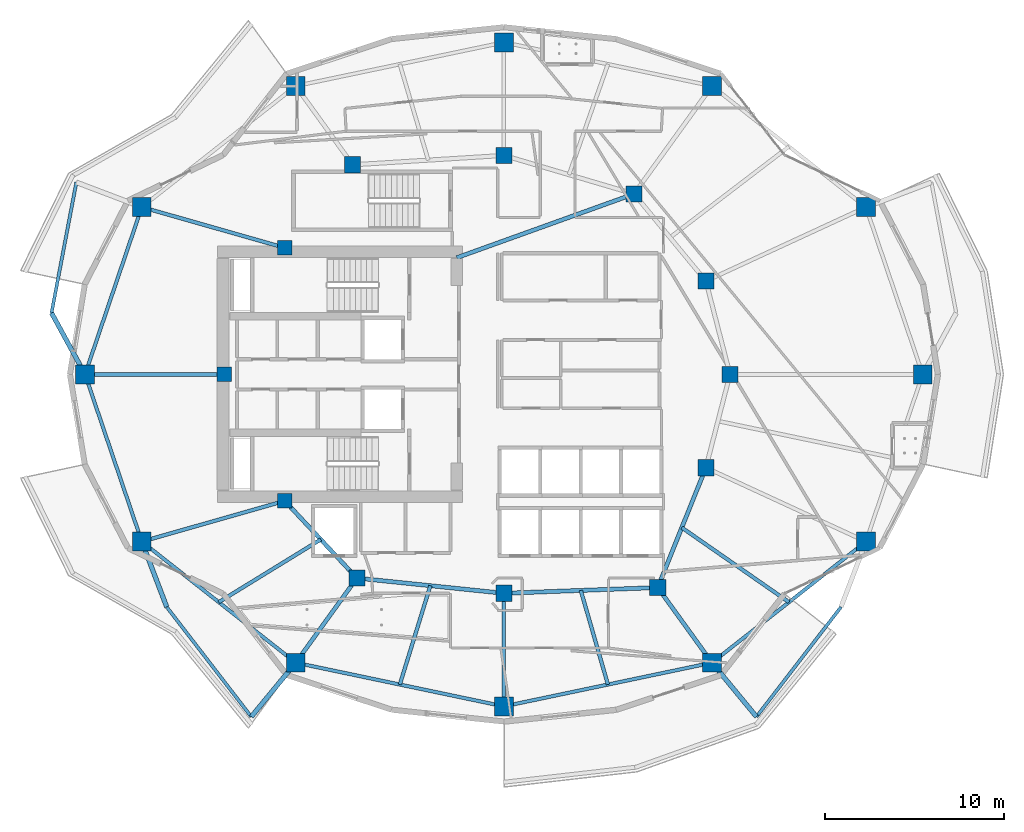
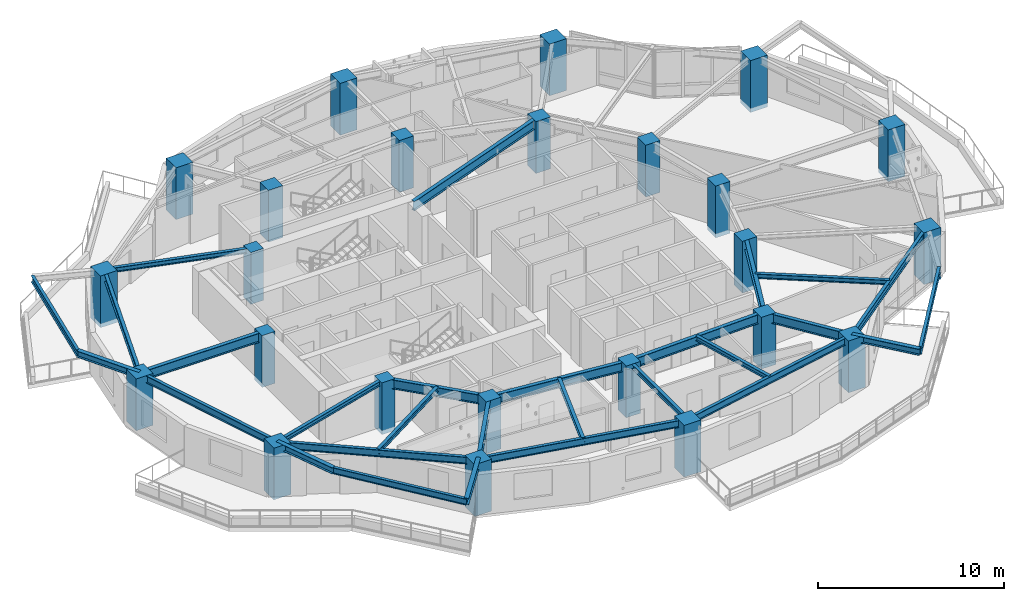
# One storey, part 1 of 18: 28 beams, 24 columns.
"""IFC4 building model written with IfcOpenShell, lengths in metres."""

from ifc_helpers import new_model, si_unit, direction, frame, origin, origin_2d, place, context, subcontext, project, spatial, rectangle, i_section, extrude, material, material_profile, profile_set, type_object, element, save


model = new_model("IFC4")

# Units and contexts
model_context = context("Model", 3, precision=1e-05, world=origin(), true_north=direction((0.0, 1.0)))
body_context = subcontext(model_context, "Body", "Model", "MODEL_VIEW")
ifc_project = project(units=[si_unit("LENGTHUNIT", "METRE"), si_unit("AREAUNIT", "SQUARE_METRE"), si_unit("VOLUMEUNIT", "CUBIC_METRE"), si_unit("PLANEANGLEUNIT", "RADIAN"), si_unit("MASSUNIT", "GRAM", prefix="KILO")], contexts=[model_context])

# Site, building, storey
site_placement = place(None, origin())
site = spatial("IfcSite", under=ifc_project, at=site_placement, CompositionType="ELEMENT")
building_placement = place(site_placement, origin())
building = spatial("IfcBuilding", under=site, at=building_placement, Name="Kolvaren Gate Tower and Convention Centre", CompositionType="ELEMENT")
storey_placement = place(building_placement, frame((0.0, 0.0, 135.89990234375)))
storey = spatial("IfcBuildingStorey", under=building, at=storey_placement, Name="L34", CompositionType="ELEMENT", Elevation=135.89990234375)

# Columns
ifc_material_1 = material(Name="Concrete C60/75", Category="concrete")
ifc_material_profile_1 = material_profile(ifc_material_1, rectangle(XDim=1.050048828125, YDim=1.050048828125, at=origin_2d()), Name="RC-COL-1050X1050")
ifc_profile_set_1 = profile_set([ifc_material_profile_1], Name="Concrete C60/75")
column_type_1 = type_object("IfcColumnType", Name="STR-COL-RC1050", PredefinedType="COLUMN", material=ifc_profile_set_1)
for number, where, z_axis, x_axis, name in (
    (1, (53.46240234375, 27.0, -0.27001953125), (0.0, 0.0, 1.0), (1.0, 0.0, 0.0), "Tower L34 Perimeter Supercolumn TP-01"),
    (2, (50.30029296875, 36.318603515625, -0.27001953125), (0.0, 0.0, 1.0), (1.0, 0.0, 0.0), "Tower L34 Perimeter Supercolumn TP-02"),
    (3, (41.721435546875, 43.068359375, -0.27001953125), (0.0, 0.0, 1.0), (1.0, 0.0, 0.0), "Tower L34 Perimeter Supercolumn TP-03"),
    (4, (30.125, 45.5, -0.27001953125), (0.0, 0.0, 1.0), (1.0, 0.0, 0.0), "Tower L34 Perimeter Supercolumn TP-04"),
    (5, (18.52880859375, 43.068359375, -0.27001953125), (0.0, 0.0, 1.0), (1.0, 0.0, 0.0), "Tower L34 Perimeter Supercolumn TP-05"),
    (6, (9.94970703125, 36.318603515625, -0.27001953125), (0.0, 0.0, 1.0), (1.0, 0.0, 0.0), "Tower L34 Perimeter Supercolumn TP-06"),
    (7, (6.78759765625, 27.0, -0.27001953125), (0.0, 0.0, 1.0), (1.0, 0.0, 0.0), "Tower L34 Perimeter Supercolumn TP-07"),
    (8, (9.94970703125, 17.681396484375, -0.27001953125), (0.0, 0.0, 1.0), (1.0, 0.0, 0.0), "Tower L34 Perimeter Supercolumn TP-08"),
    (9, (18.528564453125, 10.931640625, -0.27001953125), (0.0, 0.0, 1.0), (1.0, 0.0, 0.0), "Tower L34 Perimeter Supercolumn TP-09"),
    (10, (30.125, 8.5, -0.27001953125), (0.0, 0.0, 1.0), (1.0, 0.0, 0.0), "Tower L34 Perimeter Supercolumn TP-10"),
    (11, (41.721435546875, 10.931640625, -0.27001953125), (0.0, 0.0, 1.0), (1.0, 0.0, 0.0), "Tower L34 Perimeter Supercolumn TP-11"),
    (12, (50.30029296875, 17.681396484375, -0.27001953125), (0.0, 0.0, 1.0), (1.0, 0.0, 0.0), "Tower L34 Perimeter Supercolumn TP-12"),
):
    element("IfcColumn", number, at=place(storey_placement, frame(where, z_axis=z_axis, x_axis=x_axis)), inside=storey, type_object=column_type_1, Name=name, PredefinedType="COLUMN", context=body_context, shape_type="SweptSolid", body=[
        extrude(rectangle(XDim=1.050048828125, YDim=1.050048828125, at=origin_2d()), origin(), (0.0, 0.0, 1.0), 3.400146484375),
    ])
ifc_material_profile_2 = material_profile(ifc_material_1, rectangle(XDim=0.89990234375, YDim=0.89990234375, at=origin_2d()), Name="RC-COL-900X900")
ifc_profile_set_2 = profile_set([ifc_material_profile_2], Name="Concrete C60/75")
column_type_2 = type_object("IfcColumnType", Name="STR-COL-RC900", PredefinedType="COLUMN", material=ifc_profile_set_2)
for number, where, z_axis, x_axis, name in (
    (13, (42.72509765625, 27.0, -0.27001953125), (0.0, 0.0, 1.0), (1.0, 0.0, 0.0), "Tower L34 Interior Column TI-01"),
    (14, (41.382080078125, 32.199462890625, -0.27001953125), (0.0, 0.0, 1.0), (1.0, 0.0, 0.0), "Tower L34 Interior Column TI-02"),
    (15, (37.381591796875, 37.054931640625, -0.27001953125), (0.0, 0.0, 1.0), (1.0, 0.0, 0.0), "Tower L34 Interior Column TI-03"),
    (16, (30.125, 39.199951171875, -0.27001953125), (0.0, 0.0, 1.0), (1.0, 0.0, 0.0), "Tower L34 Interior Column TI-04"),
    (17, (21.697998046875, 38.6767578125, -0.27001953125), (0.0, 0.0, 1.0), (1.0, 0.0, 0.0), "Tower L34 Interior Column TI-05"),
    (18, (21.93212890625, 15.647705078125, -0.27001953125), (0.0, 0.0, 1.0), (1.0, 0.0, 0.0), "Tower L34 Interior Column TI-06"),
    (19, (30.125, 14.800048828125, -0.27001953125), (0.0, 0.0, 1.0), (1.0, 0.0, 0.0), "Tower L34 Interior Column TI-07"),
    (20, (38.6982421875, 15.12060546875, -0.27001953125), (0.0, 0.0, 1.0), (1.0, 0.0, 0.0), "Tower L34 Interior Column TI-08"),
    (21, (41.382080078125, 21.800537109375, -0.27001953125), (0.0, 0.0, 1.0), (1.0, 0.0, 0.0), "Tower L34 Interior Column TI-09"),
):
    element("IfcColumn", number, at=place(storey_placement, frame(where, z_axis=z_axis, x_axis=x_axis)), inside=storey, type_object=column_type_2, Name=name, PredefinedType="COLUMN", context=body_context, shape_type="SweptSolid", body=[
        extrude(rectangle(XDim=0.89990234375, YDim=0.89990234375, at=origin_2d()), origin(), (0.0, 0.0, 1.0), 3.400146484375),
    ])
ifc_material_profile_3 = material_profile(ifc_material_1, rectangle(XDim=0.800048828125, YDim=0.800048828125, at=origin_2d()), Name="RC-COL-800X800")
ifc_profile_set_3 = profile_set([ifc_material_profile_3], Name="Concrete C60/75")
column_type_3 = type_object("IfcColumnType", Name="STR-PIL-RC800", PredefinedType="PILASTER", material=ifc_profile_set_3)
for number, where, z_axis, x_axis, name in (
    (22, (17.9140625, 34.050048828125, -0.27001953125), (0.0, 0.0, 1.0), (1.0, 0.0, 0.0), "Tower L34 Core Boundary Pilaster TC-05"),
    (23, (14.550048828125, 27.0, -0.27001953125), (0.0, 0.0, 1.0), (1.0, 0.0, 0.0), "Tower L34 Core Boundary Pilaster TC-06"),
    (24, (17.9140625, 19.949951171875, -0.27001953125), (0.0, 0.0, 1.0), (1.0, 0.0, 0.0), "Tower L34 Core Boundary Pilaster TC-07"),
):
    element("IfcColumn", number, at=place(storey_placement, frame(where, z_axis=z_axis, x_axis=x_axis)), inside=storey, type_object=column_type_3, Name=name, PredefinedType="PILASTER", context=body_context, shape_type="SweptSolid", body=[
        extrude(rectangle(XDim=0.800048828125, YDim=0.800048828125, at=origin_2d()), origin(), (0.0, 0.0, 1.0), 3.400146484375),
    ])

# Beams
ifc_material_2 = material(Name="Structural steel ASTM A992 Grade 345 MPa", Category="steel")
ifc_material_profile_4 = material_profile(ifc_material_2, i_section(OverallWidth=0.260009765625, OverallDepth=0.419921875, WebThickness=0.013427734375, FlangeThickness=0.0224609375, at=origin_2d()), Name="W410X132")
ifc_profile_set_4 = profile_set([ifc_material_profile_4], Name="Structural steel ASTM A992 Grade 345 MPa")
beam_type_1 = type_object("IfcBeamType", Name="STR-BM-W410X132", PredefinedType="BEAM", material=ifc_profile_set_4)
beam_1_placement = place(storey_placement, frame((6.78759765625, 27.0, 2.920654296875), z_axis=(-0.478878445754, 0.877881218726, 0.0), x_axis=(-0.877881218726, -0.478878445754, 0.0)))
element("IfcBeam", 25, at=beam_1_placement, inside=storey, type_object=beam_type_1, Name="Tower L35 Planted Balcony Outrigger Cantilever BC-2B", PredefinedType="BEAM", context=body_context, shape_type="SweptSolid", body=[
    extrude(i_section(OverallWidth=0.260009765625, OverallDepth=0.419921875, WebThickness=0.013427734375, FlangeThickness=0.0224609375, at=origin_2d()), origin(), (0.0, 0.0, 1.0), 3.900146484375),
])
for number, where, z_axis, x_axis, name in (
    (26, (9.94970703125, 17.681396484375, 2.920654296875), (0.356078629863, -0.934455996479, 0.0), (0.934455996479, 0.356078629863, 0.0), "Tower L35 Planted Balcony Outrigger Cantilever BC-3A"),
    (27, (18.528564453125, 10.931640625, 2.920654296875), (-0.635777466799, -0.771872407014, 0.0), (0.771872407014, -0.635777466799, 0.0), "Tower L35 Planted Balcony Outrigger Cantilever BC-3B"),
    (28, (41.721435546875, 10.931640625, 2.920654296875), (0.635777466799, -0.771872407014, 0.0), (0.771872407014, 0.635777466799, 0.0), "Tower L35 Planted Balcony Outrigger Cantilever BC-4A"),
):
    element("IfcBeam", number, at=place(storey_placement, frame(where, z_axis=z_axis, x_axis=x_axis)), inside=storey, type_object=beam_type_1, Name=name, PredefinedType="BEAM", context=body_context, shape_type="SweptSolid", body=[
        extrude(i_section(OverallWidth=0.260009765625, OverallDepth=0.419921875, WebThickness=0.013427734375, FlangeThickness=0.0224609375, at=origin_2d()), origin(), (0.0, 0.0, 1.0), 3.89990234375),
    ])
ifc_material_profile_5 = material_profile(ifc_material_2, i_section(OverallWidth=0.22998046875, OverallDepth=0.616943359375, WebThickness=0.01318359375, FlangeThickness=0.022216796875, at=origin_2d()), Name="W610X140")
ifc_profile_set_5 = profile_set([ifc_material_profile_5], Name="Structural steel ASTM A992 Grade 345 MPa")
beam_type_2 = type_object("IfcBeamType", Name="STR-BM-W610X140", PredefinedType="BEAM", material=ifc_profile_set_5)
beam_2_placement = place(storey_placement, frame((17.9140625, 19.949951171875, 2.821533203125), z_axis=(0.682557592987, -0.730831808459, 0.0), x_axis=(0.730831808459, 0.682557592987, 0.0)))
element("IfcBeam", 29, at=beam_2_placement, inside=storey, type_object=beam_type_2, Name="Tower L34 Primary Ring Girder G-06", PredefinedType="BEAM", context=body_context, shape_type="SweptSolid", body=[
    extrude(i_section(OverallWidth=0.22998046875, OverallDepth=0.616943359375, WebThickness=0.01318359375, FlangeThickness=0.022216796875, at=origin_2d()), origin(), (0.0, 0.0, 1.0), 5.88671875),
])
beam_3_placement = place(storey_placement, frame((21.93212890625, 15.647705078125, 2.821533203125), z_axis=(0.994690329115, -0.102913308978, 0.0), x_axis=(0.102913308978, 0.994690329115, 0.0)))
element("IfcBeam", 30, at=beam_3_placement, inside=storey, type_object=beam_type_2, Name="Tower L34 Primary Ring Girder G-07", PredefinedType="BEAM", context=body_context, shape_type="SweptSolid", body=[
    extrude(i_section(OverallWidth=0.22998046875, OverallDepth=0.616943359375, WebThickness=0.01318359375, FlangeThickness=0.022216796875, at=origin_2d()), origin(), (0.0, 0.0, 1.0), 8.236572265625),
])
beam_4_placement = place(storey_placement, frame((30.125, 14.800048828125, 2.821533203125), z_axis=(0.999301712453, 0.037364254142, 0.0), x_axis=(-0.037364254142, 0.999301712453, 0.0)))
element("IfcBeam", 31, at=beam_4_placement, inside=storey, type_object=beam_type_2, Name="Tower L34 Primary Ring Girder G-08", PredefinedType="BEAM", context=body_context, shape_type="SweptSolid", body=[
    extrude(i_section(OverallWidth=0.22998046875, OverallDepth=0.616943359375, WebThickness=0.01318359375, FlangeThickness=0.022216796875, at=origin_2d()), origin(), (0.0, 0.0, 1.0), 8.579345703125),
])
beam_5_placement = place(storey_placement, frame((38.6982421875, 15.12060546875, 2.821533203125), z_axis=(0.372811100169, 0.927907260232, 0.0), x_axis=(-0.927907260232, 0.372811100169, 0.0)))
element("IfcBeam", 32, at=beam_5_placement, inside=storey, type_object=beam_type_2, Name="Tower L34 Primary Ring Girder G-09", PredefinedType="BEAM", context=body_context, shape_type="SweptSolid", body=[
    extrude(i_section(OverallWidth=0.22998046875, OverallDepth=0.616943359375, WebThickness=0.01318359375, FlangeThickness=0.022216796875, at=origin_2d()), origin(), (0.0, 0.0, 1.0), 7.198974609375),
])
beam_6_placement = place(storey_placement, frame((27.5, 33.5, 2.821533203125), z_axis=(0.940961479908, 0.338513653093, 0.0), x_axis=(-0.338513653093, 0.940961479908, 0.0)))
element("IfcBeam", 33, at=beam_6_placement, inside=storey, type_object=beam_type_2, Name="Tower L34 Primary Ring Girder G-10", PredefinedType="BEAM", context=body_context, shape_type="SweptSolid", body=[
    extrude(i_section(OverallWidth=0.22998046875, OverallDepth=0.616943359375, WebThickness=0.01318359375, FlangeThickness=0.022216796875, at=origin_2d()), origin(), (0.0, 0.0, 1.0), 10.501708984375),
])
beam_7_placement = place(storey_placement, frame((14.550048828125, 27.0, 2.821533203125), z_axis=(-1.0, 0.0, 0.0), x_axis=(0.0, -1.0, 0.0)))
element("IfcBeam", 34, at=beam_7_placement, inside=storey, type_object=beam_type_2, Name="Tower L34 Radial Floor Girder RB-07", PredefinedType="BEAM", context=body_context, shape_type="SweptSolid", body=[
    extrude(i_section(OverallWidth=0.22998046875, OverallDepth=0.616943359375, WebThickness=0.01318359375, FlangeThickness=0.022216796875, at=origin_2d()), origin(), (0.0, 0.0, 1.0), 7.762451171875),
])
beam_8_placement = place(storey_placement, frame((21.93212890625, 15.647705078125, 2.821533203125), z_axis=(-0.585210043569, -0.810881745328, 0.0), x_axis=(0.810881745328, -0.585210043569, 0.0)))
element("IfcBeam", 35, at=beam_8_placement, inside=storey, type_object=beam_type_2, Name="Tower L34 Radial Floor Girder RB-09", PredefinedType="BEAM", context=body_context, shape_type="SweptSolid", body=[
    extrude(i_section(OverallWidth=0.22998046875, OverallDepth=0.616943359375, WebThickness=0.01318359375, FlangeThickness=0.022216796875, at=origin_2d()), origin(), (0.0, 0.0, 1.0), 5.81591796875),
])
beam_9_placement = place(storey_placement, frame((38.6982421875, 15.12060546875, 2.821533203125), z_axis=(0.585214440031, -0.810878572401, 0.0), x_axis=(0.810878572401, 0.585214440031, 0.0)))
element("IfcBeam", 36, at=beam_9_placement, inside=storey, type_object=beam_type_2, Name="Tower L34 Radial Floor Girder RB-11", PredefinedType="BEAM", context=body_context, shape_type="SweptSolid", body=[
    extrude(i_section(OverallWidth=0.22998046875, OverallDepth=0.616943359375, WebThickness=0.01318359375, FlangeThickness=0.022216796875, at=origin_2d()), origin(), (0.0, 0.0, 1.0), 5.166015625),
])
ifc_material_profile_6 = material_profile(ifc_material_2, i_section(OverallWidth=0.205078125, OverallDepth=0.31005859375, WebThickness=0.009521484375, FlangeThickness=0.016357421875, at=origin_2d()), Name="W310X74")
ifc_profile_set_6 = profile_set([ifc_material_profile_6], Name="Structural steel ASTM A992 Grade 345 MPa")
beam_type_3 = type_object("IfcBeamType", Name="STR-JS-W310X74", PredefinedType="JOIST", material=ifc_profile_set_6)
for number, where, z_axis, x_axis, name in (
    (37, (17.9140625, 34.050048828125, 2.97509765625), (-0.961746134311, 0.27394228067, 0.0), (-0.27394228067, -0.961746134311, 0.0), "Tower L34 Radial Floor Girder RB-06"),
    (38, (17.9140625, 19.949951171875, 2.97509765625), (-0.961746134311, -0.27394228067, 0.0), (0.27394228067, -0.961746134311, 0.0), "Tower L34 Radial Floor Girder RB-08"),
):
    element("IfcBeam", number, at=place(storey_placement, frame(where, z_axis=z_axis, x_axis=x_axis)), inside=storey, type_object=beam_type_3, Name=name, PredefinedType="JOIST", context=body_context, shape_type="SweptSolid", body=[
        extrude(i_section(OverallWidth=0.205078125, OverallDepth=0.31005859375, WebThickness=0.009521484375, FlangeThickness=0.016357421875, at=origin_2d()), origin(), (0.0, 0.0, 1.0), 8.28125),
    ])
beam_10_placement = place(storey_placement, frame((30.125, 14.800048828125, 2.97509765625), z_axis=(0.0, -1.0, 0.0), x_axis=(1.0, 0.0, 0.0)))
element("IfcBeam", 39, at=beam_10_placement, inside=storey, type_object=beam_type_3, Name="Tower L34 Radial Floor Girder RB-10", PredefinedType="JOIST", context=body_context, shape_type="SweptSolid", body=[
    extrude(i_section(OverallWidth=0.205078125, OverallDepth=0.31005859375, WebThickness=0.009521484375, FlangeThickness=0.016357421875, at=origin_2d()), origin(), (0.0, 0.0, 1.0), 6.300048828125),
])
beam_11_placement = place(storey_placement, frame((19.923095703125, 17.798828125, 2.97509765625), z_axis=(-0.852013723702, -0.523519450091, 0.0), x_axis=(0.523519450091, -0.852013723702, 0.0)))
element("IfcBeam", 40, at=beam_11_placement, inside=storey, type_object=beam_type_3, Name="Tower L34 Secondary Composite Floor Joist J-08.1", PredefinedType="JOIST", context=body_context, shape_type="SweptSolid", body=[
    extrude(i_section(OverallWidth=0.205078125, OverallDepth=0.31005859375, WebThickness=0.009521484375, FlangeThickness=0.016357421875, at=origin_2d()), origin(), (0.0, 0.0, 1.0), 6.671142578125),
])
beam_12_placement = place(storey_placement, frame((26.028564453125, 15.223876953125, 2.97509765625), z_axis=(-0.295174836894, -0.95544325612, 0.0), x_axis=(0.95544325612, -0.295174836894, 0.0)))
element("IfcBeam", 41, at=beam_12_placement, inside=storey, type_object=beam_type_3, Name="Tower L34 Secondary Composite Floor Joist J-09.1", PredefinedType="JOIST", context=body_context, shape_type="SweptSolid", body=[
    extrude(i_section(OverallWidth=0.205078125, OverallDepth=0.31005859375, WebThickness=0.009521484375, FlangeThickness=0.016357421875, at=origin_2d()), origin(), (0.0, 0.0, 1.0), 5.764892578125),
])
beam_13_placement = place(storey_placement, frame((34.41162109375, 14.960205078125, 2.97509765625), z_axis=(0.27693589933, -0.960888395009, 0.0), x_axis=(0.960888395009, 0.27693589933, 0.0)))
element("IfcBeam", 42, at=beam_13_placement, inside=storey, type_object=beam_type_3, Name="Tower L34 Secondary Composite Floor Joist J-10.1", PredefinedType="JOIST", context=body_context, shape_type="SweptSolid", body=[
    extrude(i_section(OverallWidth=0.205078125, OverallDepth=0.31005859375, WebThickness=0.009521484375, FlangeThickness=0.016357421875, at=origin_2d()), origin(), (0.0, 0.0, 1.0), 5.457763671875),
])
beam_14_placement = place(storey_placement, frame((40.040283203125, 18.46044921875, 2.97509765625), z_axis=(0.820871677882, -0.571112675792, 0.0), x_axis=(0.571112675792, 0.820871677882, 0.0)))
element("IfcBeam", 43, at=beam_14_placement, inside=storey, type_object=beam_type_3, Name="Tower L34 Secondary Composite Floor Joist J-11.1", PredefinedType="JOIST", context=body_context, shape_type="SweptSolid", body=[
    extrude(i_section(OverallWidth=0.205078125, OverallDepth=0.31005859375, WebThickness=0.009521484375, FlangeThickness=0.016357421875, at=origin_2d()), origin(), (0.0, 0.0, 1.0), 7.273681640625),
])
ifc_material_profile_7 = material_profile(ifc_material_2, i_section(OverallWidth=0.180908203125, OverallDepth=0.4169921875, WebThickness=0.010986328125, FlangeThickness=0.018310546875, at=origin_2d()), Name="W410X85")
ifc_profile_set_7 = profile_set([ifc_material_profile_7], Name="Structural steel ASTM A992 Grade 345 MPa")
beam_type_4 = type_object("IfcBeamType", Name="STR-SP-W410X85", PredefinedType="SPANDREL", material=ifc_profile_set_7)
beam_15_placement = place(storey_placement, frame((6.302978515625, 37.701171875, 2.922119140625), z_axis=(-0.186707724087, -0.982415505663, 0.0), x_axis=(0.982415505663, -0.186707724087, 0.0)))
element("IfcBeam", 44, at=beam_15_placement, inside=storey, type_object=beam_type_4, Name="Tower L35 Planted Balcony Header Tie Beam BT-2", PredefinedType="SPANDREL", context=body_context, shape_type="SweptSolid", body=[
    extrude(i_section(OverallWidth=0.180908203125, OverallDepth=0.4169921875, WebThickness=0.010986328125, FlangeThickness=0.018310546875, at=origin_2d()), origin(), (0.0, 0.0, 1.0), 7.40771484375),
])
for number, where, z_axis, x_axis, name in (
    (45, (11.33837890625, 14.037109375, 2.922119140625), (0.610222644788, -0.792229969004, 0.0), (0.792229969004, 0.610222644788, 0.0), "Tower L35 Planted Balcony Header Tie Beam BT-3"),
    (46, (44.200927734375, 7.92138671875, 2.922119140625), (0.610222644788, 0.792229969004, 0.0), (-0.792229969004, 0.610222644788, 0.0), "Tower L35 Planted Balcony Header Tie Beam BT-4"),
):
    element("IfcBeam", number, at=place(storey_placement, frame(where, z_axis=z_axis, x_axis=x_axis)), inside=storey, type_object=beam_type_4, Name=name, PredefinedType="SPANDREL", context=body_context, shape_type="SweptSolid", body=[
        extrude(i_section(OverallWidth=0.180908203125, OverallDepth=0.4169921875, WebThickness=0.010986328125, FlangeThickness=0.018310546875, at=origin_2d()), origin(), (0.0, 0.0, 1.0), 7.7197265625),
    ])
ifc_material_profile_8 = material_profile(ifc_material_2, i_section(OverallWidth=0.194091796875, OverallDepth=0.468994140625, WebThickness=0.0126953125, FlangeThickness=0.0205078125, at=origin_2d()), Name="W460X106")
ifc_profile_set_8 = profile_set([ifc_material_profile_8], Name="Structural steel ASTM A992 Grade 345 MPa")
beam_type_5 = type_object("IfcBeamType", Name="STR-SP-W460X106", PredefinedType="SPANDREL", material=ifc_profile_set_8)
for number, where, z_axis, x_axis, name in (
    (47, (9.94970703125, 36.318603515625, 2.8955078125), (-0.321336471485, -0.946965084939, 0.0), (0.946965084939, -0.321336471485, 0.0), "Tower L34 Perimeter Spandrel Beam SP-06"),
    (48, (6.78759765625, 27.0, 2.8955078125), (0.321336471485, -0.946965084939, 0.0), (0.946965084939, 0.321336471485, 0.0), "Tower L34 Perimeter Spandrel Beam SP-07"),
):
    element("IfcBeam", number, at=place(storey_placement, frame(where, z_axis=z_axis, x_axis=x_axis)), inside=storey, type_object=beam_type_5, Name=name, PredefinedType="SPANDREL", context=body_context, shape_type="SweptSolid", body=[
        extrude(i_section(OverallWidth=0.194091796875, OverallDepth=0.468994140625, WebThickness=0.0126953125, FlangeThickness=0.0205078125, at=origin_2d()), origin(), (0.0, 0.0, 1.0), 9.840576171875),
    ])
beam_16_placement = place(storey_placement, frame((9.94970703125, 17.681396484375, 2.8955078125), z_axis=(0.785907610354, -0.618343939881, 0.0), x_axis=(0.618343939881, 0.785907610354, 0.0)))
element("IfcBeam", 49, at=beam_16_placement, inside=storey, type_object=beam_type_5, Name="Tower L34 Perimeter Spandrel Beam SP-08", PredefinedType="SPANDREL", context=body_context, shape_type="SweptSolid", body=[
    extrude(i_section(OverallWidth=0.194091796875, OverallDepth=0.468994140625, WebThickness=0.0126953125, FlangeThickness=0.0205078125, at=origin_2d()), origin(), (0.0, 0.0, 1.0), 10.915771484375),
])
for number, where, z_axis, x_axis, name in (
    (50, (18.528564453125, 10.931640625, 2.8955078125), (0.978714746947, -0.205225349578, 0.0), (0.205225349578, 0.978714746947, 0.0), "Tower L34 Perimeter Spandrel Beam SP-09"),
    (51, (30.125, 8.5, 2.8955078125), (0.978714746947, 0.205225349578, 0.0), (-0.205225349578, 0.978714746947, 0.0), "Tower L34 Perimeter Spandrel Beam SP-10"),
):
    element("IfcBeam", number, at=place(storey_placement, frame(where, z_axis=z_axis, x_axis=x_axis)), inside=storey, type_object=beam_type_5, Name=name, PredefinedType="SPANDREL", context=body_context, shape_type="SweptSolid", body=[
        extrude(i_section(OverallWidth=0.194091796875, OverallDepth=0.468994140625, WebThickness=0.0126953125, FlangeThickness=0.0205078125, at=origin_2d()), origin(), (0.0, 0.0, 1.0), 11.8486328125),
    ])
beam_17_placement = place(storey_placement, frame((41.721435546875, 10.931640625, 2.8955078125), z_axis=(0.785907610354, 0.618343939881, 0.0), x_axis=(-0.618343939881, 0.785907610354, 0.0)))
element("IfcBeam", 52, at=beam_17_placement, inside=storey, type_object=beam_type_5, Name="Tower L34 Perimeter Spandrel Beam SP-11", PredefinedType="SPANDREL", context=body_context, shape_type="SweptSolid", body=[
    extrude(i_section(OverallWidth=0.194091796875, OverallDepth=0.468994140625, WebThickness=0.0126953125, FlangeThickness=0.0205078125, at=origin_2d()), origin(), (0.0, 0.0, 1.0), 10.915771484375),
])

save(model, "model.ifc")
